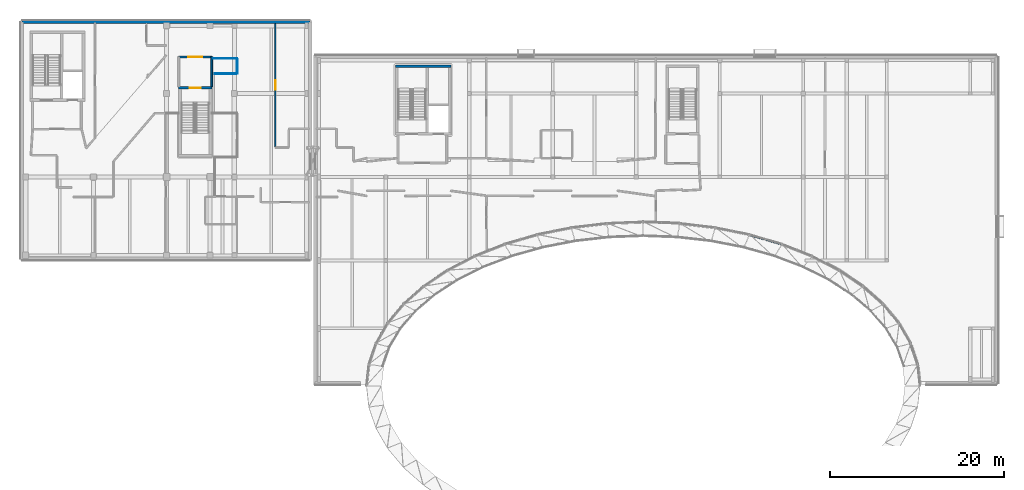
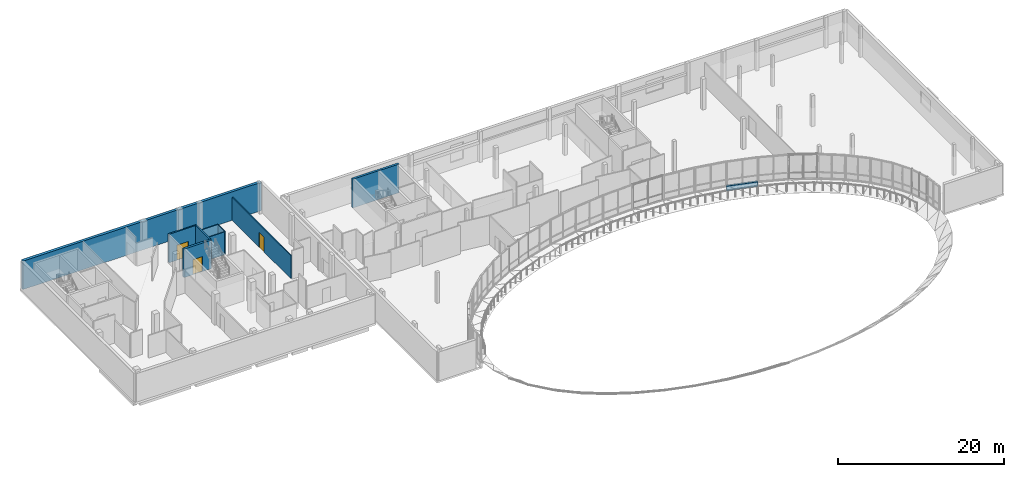
# One storey, part 27 of 41: 10 walls, 3 doors, 3 openings.
"""IFC4 building model written with IfcOpenShell, lengths in metres."""

from ifc_helpers import new_model, si_unit, direction, frame, frame_2d, origin, place, context, subcontext, project, spatial, rectangle, extrude, material, layer, layer_set, type_object, element, fill, save


model = new_model("IFC4")

# Units and contexts
model_context = context("Model", 3, precision=1e-05, world=origin(), true_north=direction((0.0, 1.0)))
body_context = subcontext(model_context, "Body", "Model", "MODEL_VIEW")
ifc_project = project(units=[si_unit("LENGTHUNIT", "METRE"), si_unit("AREAUNIT", "SQUARE_METRE"), si_unit("VOLUMEUNIT", "CUBIC_METRE"), si_unit("PLANEANGLEUNIT", "RADIAN"), si_unit("MASSUNIT", "GRAM", prefix="KILO")], contexts=[model_context])

# Site, building, storey
site_placement = place(None, origin())
site = spatial("IfcSite", under=ifc_project, at=site_placement, CompositionType="ELEMENT")
building_placement = place(site_placement, origin())
building = spatial("IfcBuilding", under=site, at=building_placement, Name="Mzevani Central Library", CompositionType="ELEMENT")
storey_placement = place(building_placement, frame((0.0, 0.0, 13.800048828125)))
storey = spatial("IfcBuildingStorey", under=building, at=storey_placement, Name="L03", CompositionType="ELEMENT", Elevation=13.800048828125)

# Wall, opening, door
ifc_material_1 = material(Name="Concrete C35/45", Category="concrete")
ifc_layer_1 = layer(ifc_material_1, 0.199951171875, Name="Compartment Wall 200")
ifc_layer_set_1 = layer_set([ifc_layer_1], Name="Concrete C35/45")
wall_type_1 = type_object("IfcWallType", Name="Compartment Wall 200", PredefinedType="STANDARD", material=ifc_layer_set_1)
wall_1_placement = place(storey_placement, frame((30.60009765625, 113.800048828125, 0.0), z_axis=(0.0, 0.0, 1.0), x_axis=(1.0, 0.0, 0.0)))
wall_1 = element("IfcWall", 1, at=wall_1_placement, inside=storey, type_object=wall_type_1, Name="L03 Stair Vestibule C2B Enclosure Wall 2", PredefinedType="STANDARD", context=body_context, shape_type="SweptSolid", body=[
    extrude(rectangle(XDim=3.7998046875, YDim=0.199951171875, at=frame_2d((1.89990234375, 0.0))), origin(), (0.0, 0.0, 1.0), 4.179931640625),
])
opening_1_placement = place(wall_1_placement, frame((1.10009765625, 0.0, 0.0)))
opening_1 = element("IfcOpeningElement", 2, at=opening_1_placement, cuts=wall_1, Name="Opening FD-02", PredefinedType="OPENING", context=body_context, shape_type="SweptSolid", body=[
    extrude(rectangle(XDim=1.60009765625, YDim=2.199951171875, at=frame_2d((0.800048828125, 1.10009765625))), frame((0.0, 0.10986328125, 0.0), z_axis=(0.0, -1.0, 0.0), x_axis=(1.0, 0.0, 0.0)), (0.0, 0.0, 1.0), 0.219970703125),
])
ifc_material_2 = material(Name="Fire-rated steel door assembly", Category="steel")
door_type_1 = type_object("IfcDoorType", Name="Fire Lobby Double Door 1600x2200", OperationType="NOTDEFINED", PredefinedType="DOOR", material=ifc_material_2)
door_1_placement = place(opening_1_placement, origin())
door_1 = element("IfcDoor", 3, at=door_1_placement, inside=storey, type_object=door_type_1, Name="L03 Stair Vestibule C2B Smoke-Control Door", OperationType="DOUBLE_DOOR_SINGLE_SWING", OverallHeight=2.199951171875, OverallWidth=1.60009765625, PredefinedType="DOOR", context=body_context, shape_type="SweptSolid", body=[
    extrude(rectangle(XDim=1.60009765625, YDim=2.199951171875, at=frame_2d((0.800048828125, 1.10009765625))), frame((0.0, 0.02490234375, 0.0), z_axis=(0.0, -1.0, 0.0), x_axis=(1.0, 0.0, 0.0)), (0.0, 0.0, 1.0), 0.050048828125),
])
fill(opening_1, door_1)

# Wall
wall_2_placement = place(storey_placement, frame((34.39990234375, 113.800048828125, 0.0), z_axis=(0.0, 0.0, 1.0), x_axis=(0.0, -1.0, 0.0)))
element("IfcWall", 4, at=wall_2_placement, inside=storey, type_object=wall_type_1, Name="L03 Stair Vestibule C2B Enclosure Wall 3", PredefinedType="STANDARD", context=body_context, shape_type="SweptSolid", body=[
    extrude(rectangle(XDim=3.400146484375, YDim=0.199951171875, at=frame_2d((1.7001953125, 0.0))), origin(), (0.0, 0.0, 1.0), 4.179931640625),
])

# Wall, opening, door
ifc_material_3 = material(Name="Concrete C40/50", Category="concrete")
ifc_layer_2 = layer(ifc_material_3, 0.300048828125, Name="Core Shear Wall 300")
ifc_layer_set_2 = layer_set([ifc_layer_2], Name="Concrete C40/50")
wall_type_2 = type_object("IfcWallType", Name="Core Shear Wall 300", PredefinedType="SHEAR", material=ifc_layer_set_2)
wall_3_placement = place(storey_placement, frame((30.60009765625, 110.25, 0.0), z_axis=(0.0, 0.0, 1.0), x_axis=(1.0, 0.0, 0.0)))
wall_3 = element("IfcWall", 5, at=wall_3_placement, inside=storey, type_object=wall_type_2, Name="L03 Core C2B Stacks East Escape Stair Shear Wall (+y)", PredefinedType="SHEAR", context=body_context, shape_type="SweptSolid", body=[
    extrude(rectangle(XDim=3.7998046875, YDim=0.300048828125, at=frame_2d((1.89990234375, 0.0))), origin(), (0.0, 0.0, 1.0), 4.179931640625),
])
opening_2_placement = place(wall_3_placement, frame((1.25, 0.0, 0.0)))
opening_2 = element("IfcOpeningElement", 6, at=opening_2_placement, cuts=wall_3, Name="Opening FD-01", PredefinedType="OPENING", context=body_context, shape_type="SweptSolid", body=[
    extrude(rectangle(XDim=1.300048828125, YDim=2.199951171875, at=frame_2d((0.64990234375, 1.10009765625))), frame((0.0, 0.16015625, 0.0), z_axis=(0.0, -1.0, 0.0), x_axis=(1.0, 0.0, 0.0)), (0.0, 0.0, 1.0), 0.320068359375),
])
door_type_2 = type_object("IfcDoorType", Name="Fire Stair Door 1300x2200", OperationType="NOTDEFINED", PredefinedType="DOOR", material=ifc_material_2)
door_2_placement = place(opening_2_placement, origin())
door_2 = element("IfcDoor", 7, at=door_2_placement, inside=storey, type_object=door_type_2, Name="L03 ST-04 Protected Exit Stair Door", OperationType="SINGLE_SWING_LEFT", OverallHeight=2.199951171875, OverallWidth=1.300048828125, PredefinedType="DOOR", context=body_context, shape_type="SweptSolid", body=[
    extrude(rectangle(XDim=1.300048828125, YDim=2.199951171875, at=frame_2d((0.64990234375, 1.10009765625))), frame((0.0, 0.02490234375, 0.0), z_axis=(0.0, -1.0, 0.0), x_axis=(1.0, 0.0, 0.0)), (0.0, 0.0, 1.0), 0.050048828125),
])
fill(opening_2, door_2)

# Walls
wall_4_placement = place(storey_placement, frame((55.5, 112.75, 0.0), z_axis=(0.0, 0.0, 1.0), x_axis=(1.0, 0.0, 0.0)))
element("IfcWall", 8, at=wall_4_placement, inside=storey, type_object=wall_type_2, Name="L03 Core C3A North-East Firefighting Core Shear Wall (+y)", PredefinedType="SHEAR", context=body_context, shape_type="SweptSolid", body=[
    extrude(rectangle(XDim=6.39990234375, YDim=0.300048828125, at=frame_2d((3.199951171875, 0.0))), origin(), (0.0, 0.0, 1.0), 4.219970703125),
])
ifc_material_4 = material(Name="Precast concrete C40/50", Category="concrete")
ifc_layer_3 = layer(ifc_material_4, 0.280029296875, Name="Court Spandrel Wall 280")
ifc_layer_set_3 = layer_set([ifc_layer_3], Name="Precast concrete C40/50")
wall_type_3 = type_object("IfcWallType", Name="Court Spandrel Wall 280", PredefinedType="STANDARD", material=ifc_layer_set_3)
wall_5_placement = place(storey_placement, frame((99.941162109375, 92.287353515625, 0.0), z_axis=(0.0, 0.0, 1.0), x_axis=(-0.96030470325, 0.278953180509, 0.0)))
element("IfcWall", 9, at=wall_5_placement, inside=storey, type_object=wall_type_3, Name="L03 Elliptical Court Spandrel 9", PredefinedType="STANDARD", context=body_context, shape_type="SweptSolid", body=[
    extrude(rectangle(XDim=3.860595703125, YDim=0.280029296875, at=frame_2d((1.93017578125, 0.0))), origin(), (0.0, 0.0, 1.0), 0.719970703125),
])
ifc_layer_4 = layer(ifc_material_4, 0.3798828125, Name="Exterior Thermal Concrete Wall 380")
ifc_layer_set_4 = layer_set([ifc_layer_4], Name="Precast concrete C40/50")
wall_type_4 = type_object("IfcWallType", Name="Exterior Thermal Concrete Wall 380", PredefinedType="STANDARD", material=ifc_layer_set_4)
wall_6_placement = place(storey_placement, frame((12.590087890625, 117.81005859375, 0.0), z_axis=(0.0, 0.0, 1.0), x_axis=(1.0, 0.0, 0.0)))
element("IfcWall", 10, at=wall_6_placement, inside=storey, type_object=wall_type_4, Name="L03 V2 Exterior Thermal Wall (30)", PredefinedType="STANDARD", context=body_context, shape_type="SweptSolid", body=[
    extrude(rectangle(XDim=33.119873046875, YDim=0.3798828125, at=frame_2d((16.56005859375, 0.0))), origin(), (0.0, 0.0, 1.0), 4.179931640625),
])
ifc_material_5 = material(Name="Fire-rated gypsum board", Category="gypsum")
ifc_layer_5 = layer(ifc_material_5, 0.10009765625, Name="Partition Gypsum 100")
ifc_layer_set_5 = layer_set([ifc_layer_5], Name="Fire-rated gypsum board")
wall_type_5 = type_object("IfcWallType", Name="Partition Gypsum 100", PredefinedType="PARTITIONING", material=ifc_layer_set_5)
wall_7_placement = place(storey_placement, frame((34.5, 113.6201171875, 0.0), z_axis=(0.0, 0.0, 1.0), x_axis=(1.0, 0.0, 0.0)))
element("IfcWall", 11, at=wall_7_placement, inside=storey, type_object=wall_type_5, Name="L03 V2 Partition IW-01 (498)", PredefinedType="PARTITIONING", context=body_context, shape_type="SweptSolid", body=[
    extrude(rectangle(XDim=2.8349609375, YDim=0.10009765625, at=frame_2d((1.41748046875, 0.0))), origin(), (0.0, 0.0, 1.0), 3.369873046875),
])
wall_8_placement = place(storey_placement, frame((37.3349609375, 113.52001953125, 0.0), z_axis=(0.0, 0.0, 1.0), x_axis=(0.0, -1.0, 0.0)))
element("IfcWall", 12, at=wall_8_placement, inside=storey, type_object=wall_type_5, Name="L03 V2 Partition IW-01 (499)", PredefinedType="PARTITIONING", context=body_context, shape_type="SweptSolid", body=[
    extrude(rectangle(XDim=1.64501953125, YDim=0.10009765625, at=frame_2d((0.822509765625, 0.0))), origin(), (0.0, 0.0, 1.0), 3.369873046875),
])
wall_9_placement = place(storey_placement, frame((37.235107421875, 111.875, 0.0), z_axis=(0.0, 0.0, 1.0), x_axis=(-1.0, 0.0, 0.0)))
element("IfcWall", 13, at=wall_9_placement, inside=storey, type_object=wall_type_5, Name="L03 V2 Partition IW-01 (500)", PredefinedType="PARTITIONING", context=body_context, shape_type="SweptSolid", body=[
    extrude(rectangle(XDim=2.510009765625, YDim=0.10009765625, at=frame_2d((1.2548828125, 0.0))), origin(), (0.0, 0.0, 1.0), 3.369873046875),
])

# Wall, opening, door
ifc_layer_6 = layer(ifc_material_5, 0.14990234375, Name="Partition Study 150")
ifc_layer_set_6 = layer_set([ifc_layer_6], Name="Fire-rated gypsum board")
wall_type_6 = type_object("IfcWallType", Name="Partition Study 150", PredefinedType="PARTITIONING", material=ifc_layer_set_6)
wall_10_placement = place(storey_placement, frame((41.699951171875, 103.5, 0.0), z_axis=(0.0, 0.0, 1.0), x_axis=(0.0, 1.0, 0.0)))
wall_10 = element("IfcWall", 14, at=wall_10_placement, inside=storey, type_object=wall_type_6, Name="L03 V2 Partition IW-03 (512)", PredefinedType="PARTITIONING", context=body_context, shape_type="SweptSolid", body=[
    extrude(rectangle(XDim=14.1201171875, YDim=0.14990234375, at=frame_2d((7.06005859375, 0.0))), origin(), (0.0, 0.0, 1.0), 3.369873046875),
])
opening_3_placement = place(wall_10_placement, frame((6.510009765625, 0.0, 0.0)))
opening_3 = element("IfcOpeningElement", 15, at=opening_3_placement, cuts=wall_10, Name="Opening FD-04", PredefinedType="OPENING", context=body_context, shape_type="SweptSolid", body=[
    extrude(rectangle(XDim=1.10009765625, YDim=2.14990234375, at=frame_2d((0.550048828125, 1.074951171875))), frame((0.0, 0.0849609375, 0.0), z_axis=(0.0, -1.0, 0.0), x_axis=(1.0, 0.0, 0.0)), (0.0, 0.0, 1.0), 0.169921875),
])
door_type_3 = type_object("IfcDoorType", Name="Fire Compartment Door 1100x2150", OperationType="NOTDEFINED", PredefinedType="DOOR", material=ifc_material_2)
door_3_placement = place(opening_3_placement, origin())
door_3 = element("IfcDoor", 16, at=door_3_placement, inside=storey, type_object=door_type_3, Name="L03 Mobile Compact Shelving Hall L03 East 3 Door", OperationType="SINGLE_SWING_RIGHT", OverallHeight=2.14990234375, OverallWidth=1.10009765625, PredefinedType="DOOR", context=body_context, shape_type="SweptSolid", body=[
    extrude(rectangle(XDim=1.10009765625, YDim=2.14990234375, at=frame_2d((0.550048828125, 1.074951171875))), frame((0.0, 0.02490234375, 0.0), z_axis=(0.0, -1.0, 0.0), x_axis=(1.0, 0.0, 0.0)), (0.0, 0.0, 1.0), 0.050048828125),
])
fill(opening_3, door_3)

save(model, "model.ifc")
